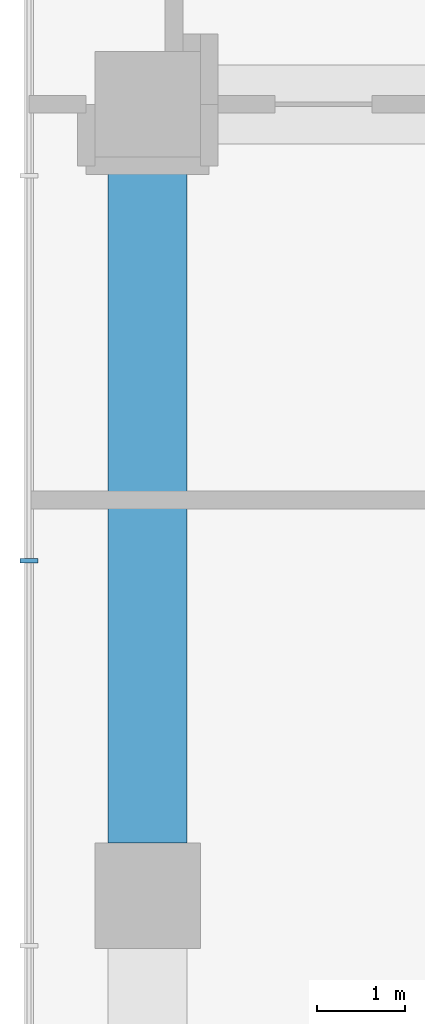
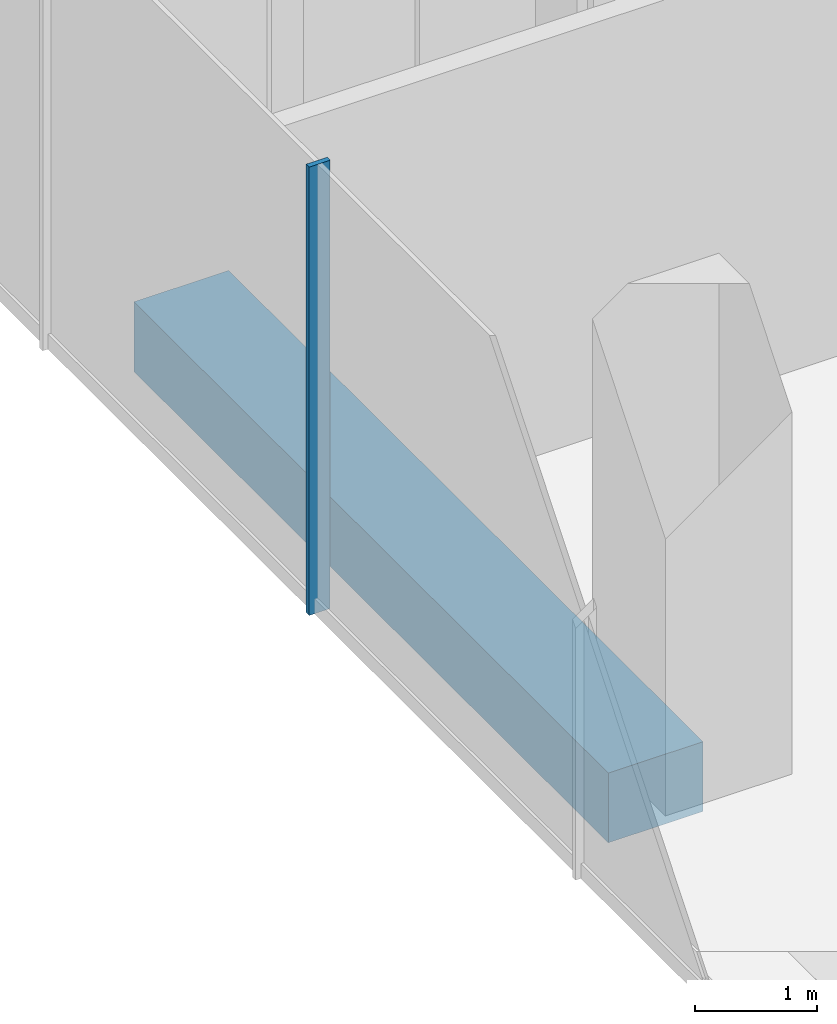
# One storey, part 8 of 43: 1 beam, 1 member, 1 element without a shape of its own.
"""IFC4 building model written with IfcOpenShell, lengths in metres."""

from ifc_helpers import new_model, si_unit, direction, frame, origin, origin_2d, place, context, subcontext, project, spatial, rectangle, extrude, material, layer, layer_set, material_profile, profile_set, type_object, element, aggregate, save


model = new_model("IFC4")

# Units and contexts
model_context = context("Model", 3, precision=1e-05, world=origin(), true_north=direction((0.0, 1.0)))
body_context = subcontext(model_context, "Body", "Model", "MODEL_VIEW")
ifc_project = project(units=[si_unit("LENGTHUNIT", "METRE"), si_unit("AREAUNIT", "SQUARE_METRE"), si_unit("VOLUMEUNIT", "CUBIC_METRE"), si_unit("PLANEANGLEUNIT", "RADIAN"), si_unit("MASSUNIT", "GRAM", prefix="KILO")], contexts=[model_context])

# Site, building, storey
site_placement = place(None, origin())
site = spatial("IfcSite", under=ifc_project, at=site_placement, CompositionType="ELEMENT")
building_placement = place(site_placement, origin())
building = spatial("IfcBuilding", under=site, at=building_placement, Name="Plateau Cross Towers", CompositionType="ELEMENT")
storey_placement = place(building_placement, frame((0.0, 0.0, 17.300048828125)))
storey = spatial("IfcBuildingStorey", under=building, at=storey_placement, Name="L03", CompositionType="ELEMENT", Elevation=17.300048828125)

# Curtain wall, member
ifc_material_1 = material(Name="Dark low-iron laminated glass", Category="glass")
ifc_layer = layer(ifc_material_1, 0.300048828125)
ifc_layer_set = layer_set([ifc_layer], Name="Dark low-iron laminated glass")
curtain_wall_type = type_object("IfcCurtainWallType", Name="Curtain wall structural silicone CW-C", PredefinedType="NOTDEFINED", material=ifc_layer_set)
curtain_wall_placement = place(storey_placement, origin())
curtain_wall = element("IfcCurtainWall", 1, at=curtain_wall_placement, inside=storey, type_object=curtain_wall_type, Name="ENV/P/L03/P-58_568", PredefinedType="NOTDEFINED")
ifc_material_2 = material(Name="Black anodised aluminium", Category="aluminium")
ifc_material_profile_1 = material_profile(ifc_material_2, rectangle(XDim=0.050048828125, YDim=0.199951171875, at=origin_2d()), Name="MULLION 50x200")
ifc_profile_set_1 = profile_set([ifc_material_profile_1], Name="Black anodised aluminium")
member_type = type_object("IfcMemberType", Name="Mullion 50x200 structural silicone", PredefinedType="MULLION", material=ifc_profile_set_1)
member_placement = place(storey_placement, frame((-5.85009765625, 21.81005859375, -0.35009765625), z_axis=(0.0, 0.0, 1.0), x_axis=(0.0, -1.0, 0.0)))
member = element("IfcMember", 2, at=member_placement, type_object=member_type, Name="CW-C mullion 9", PredefinedType="MULLION", context=body_context, shape_type="SweptSolid", body=[
    extrude(rectangle(XDim=0.050048828125, YDim=0.199951171875, at=origin_2d()), origin(), (0.0, 0.0, 1.0), 4.5),
])
aggregate(curtain_wall, [member])

# Beam
ifc_material_3 = material(Name="Concrete C50/60", Category="concrete")
ifc_material_profile_2 = material_profile(ifc_material_3, rectangle(XDim=0.89990234375, YDim=0.699951171875, at=origin_2d()), Name="RC 900x700")
ifc_profile_set_2 = profile_set([ifc_material_profile_2], Name="Concrete C50/60")
beam_type = type_object("IfcBeamType", Name="Podium band beam RC 900x700", PredefinedType="BEAM", material=ifc_profile_set_2)
beam_placement = place(storey_placement, frame((-4.5, 18.60009765625, -0.699951171875), z_axis=(0.0, 1.0, 0.0), x_axis=(-1.0, 0.0, 0.0)))
element("IfcBeam", 3, at=beam_placement, inside=storey, type_object=beam_type, Name="PB97@L03", PredefinedType="BEAM", context=body_context, shape_type="SweptSolid", body=[
    extrude(rectangle(XDim=0.89990234375, YDim=0.699951171875, at=origin_2d()), origin(), (0.0, 0.0, 1.0), 7.7998046875),
])

save(model, "model.ifc")
